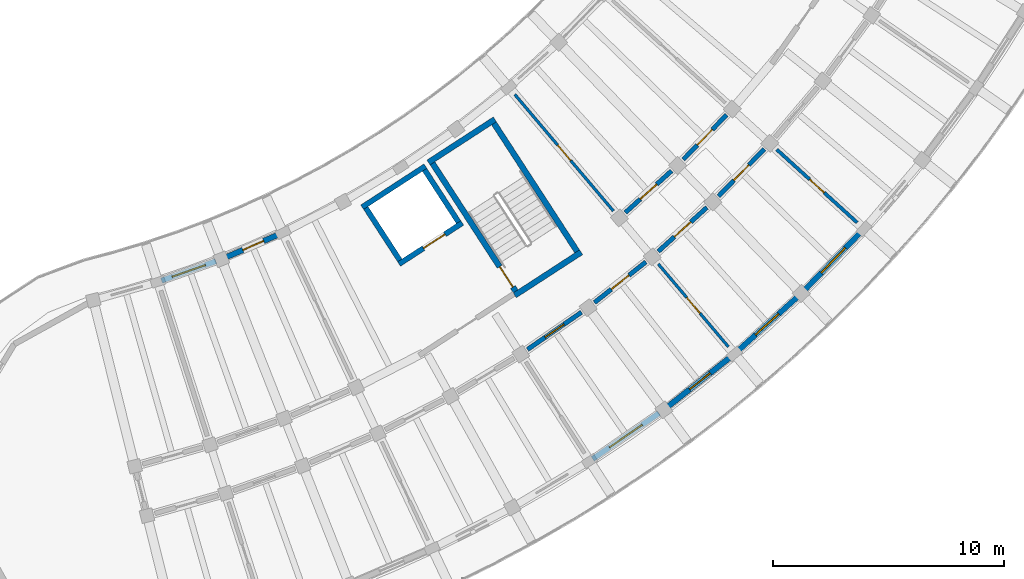
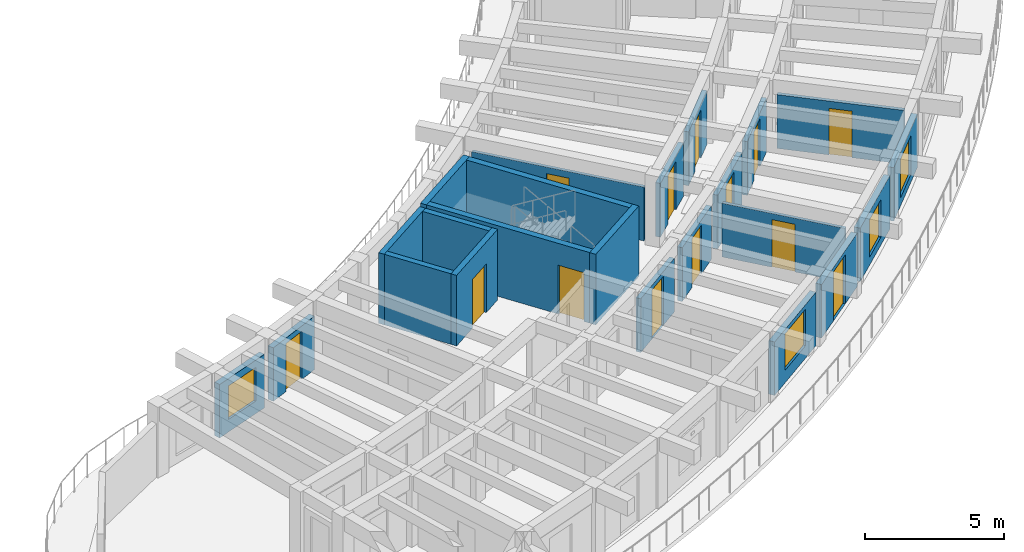
# One storey, part 40 of 69: 23 walls, 13 doors, 4 windows, 17 openings.
"""IFC4 building model written with IfcOpenShell, lengths in metres."""

import ifcopenshell
import ifcopenshell.guid

model = None  # the IFC model being written
_history = None  # IfcOwnerHistory: only IFC2X3 demands one
_inside = {}  # id of a spatial element -> (the spatial element, [elements in it])
_under = {}  # id of a project, library or spatial element -> (it, [spatial elements below it])
_declared = {}  # id of a project -> (the project, [libraries it declares])
_typed = {}  # id of a type object -> (the type object, [elements of that type])
_made_of = {}  # id of a material, layer set ... -> (it, [elements and type objects made of it])


def new_model(schema):
    """Start an empty IFC model of exactly this schema.

    Asked for "IFC4X3", IfcOpenShell would pick the latest addendum, in which some entities
    have other attributes; the version numbers below select the first issue.
    IFC2X3 requires an IfcOwnerHistory on every rooted entity: one is made here for all.
    """
    global model, _history
    if schema == "IFC4X3":
        model = ifcopenshell.file(schema_version=(4, 3, 0, 0))
    else:
        model = ifcopenshell.file(schema=schema)
    _inside.clear()
    _under.clear()
    _declared.clear()
    _typed.clear()
    _made_of.clear()
    _history = None
    if model.schema == "IFC2X3":
        org = make("IfcOrganization", Name="unknown")
        user = make(
            "IfcPersonAndOrganization",
            ThePerson=make("IfcPerson", FamilyName="unknown"),
            TheOrganization=org,
        )
        app = make(
            "IfcApplication",
            ApplicationDeveloper=org,
            Version="unknown",
            ApplicationFullName="unknown",
            ApplicationIdentifier="unknown",
        )
        _history = make(
            "IfcOwnerHistory",
            OwningUser=user,
            OwningApplication=app,
            ChangeAction="ADDED",
            CreationDate=0,
        )
    return model


def make(cls, **values):
    """One entity of the class cls with the attributes given. An attribute that is None is left unset."""
    return model.create_entity(
        cls, **{name: value for name, value in values.items() if value is not None}
    )


def rooted(cls, **values):
    """An entity with a GlobalId (a new one), such as an element, a storey or a relation."""
    return make(cls, GlobalId=ifcopenshell.guid.new(), OwnerHistory=_history, **values)


def si_unit(unit_type, name, prefix=None):
    """IfcSIUnit, for example si_unit("LENGTHUNIT", "METRE", prefix="MILLI")."""
    return make("IfcSIUnit", UnitType=unit_type, Prefix=prefix, Name=name)


def assignment(units):
    """IfcUnitAssignment: the units of a project."""
    return None if units is None else make("IfcUnitAssignment", Units=units)


def point(xyz):
    """IfcCartesianPoint."""
    return None if xyz is None else make("IfcCartesianPoint", Coordinates=xyz)


def direction(xyz):
    """IfcDirection."""
    return None if xyz is None else make("IfcDirection", DirectionRatios=xyz)


def frame(location, z_axis=None, x_axis=None):
    """IfcAxis2Placement3D, a coordinate frame: its origin and axes. An axis left out is left unset."""
    return make(
        "IfcAxis2Placement3D",
        Location=point(location),
        Axis=direction(z_axis),
        RefDirection=direction(x_axis),
    )


def frame_2d(location, x_axis=None):
    """IfcAxis2Placement2D, a coordinate frame in the plane: its origin and x axis."""
    return make(
        "IfcAxis2Placement2D", Location=point(location), RefDirection=direction(x_axis)
    )


def origin():
    """The frame at (0, 0, 0) with its axes left unset."""
    return frame((0.0, 0.0, 0.0))


def place(relative_to, where):
    """IfcLocalPlacement: puts the frame where relative to a parent placement (None: the world)."""
    return make(
        "IfcLocalPlacement", PlacementRelTo=relative_to, RelativePlacement=where
    )


def context(
    kind, dimensions, precision=None, world=None, true_north=None, identifier=None
):
    """IfcGeometricRepresentationContext, for example the 3D "Model" context."""
    return make(
        "IfcGeometricRepresentationContext",
        ContextIdentifier=identifier,
        ContextType=kind,
        CoordinateSpaceDimension=dimensions,
        Precision=precision,
        WorldCoordinateSystem=world,
        TrueNorth=true_north,
    )


def subcontext(parent, identifier, kind, view, scale=None):
    """IfcGeometricRepresentationSubContext, for example "Body" below "Model"."""
    return make(
        "IfcGeometricRepresentationSubContext",
        ContextIdentifier=identifier,
        ContextType=kind,
        ParentContext=parent,
        TargetScale=scale,
        TargetView=view,
    )


def project(units=None, contexts=None):
    """IfcProject with its units and contexts."""
    return rooted(
        "IfcProject",
        Name="project",
        RepresentationContexts=contexts,
        UnitsInContext=assignment(units),
    )


def spatial(cls, under=None, at=None, **own):
    """A site, building, storey or space (cls), placed at a placement, below another one or the project."""
    s = rooted(cls, ObjectPlacement=at, **own)
    if under is not None:
        _under.setdefault(under.id(), (under, []))[1].append(s)
    return s


def profile(cls, at=None, kind="AREA", **sizes):
    """A parametric profile (cls). Its sizes go by their IFC names, for example OverallWidth=200.0."""
    return make(cls, ProfileType=kind, Position=at, **sizes)


def rectangle(**sizes):
    """IfcRectangleProfileDef."""
    return profile("IfcRectangleProfileDef", **sizes)


def extrude(swept, where, along, depth):
    """IfcExtrudedAreaSolid: the profile swept, set in the frame where, extruded along a direction by depth."""
    return make(
        "IfcExtrudedAreaSolid",
        SweptArea=swept,
        Position=where,
        ExtrudedDirection=direction(along),
        Depth=depth,
    )


def shape(context_of_items, identifier, shape_type, items):
    """IfcShapeRepresentation: the items that make up one representation, for example the "Body"."""
    return make(
        "IfcShapeRepresentation",
        ContextOfItems=context_of_items,
        RepresentationIdentifier=identifier,
        RepresentationType=shape_type,
        Items=items,
    )


def material(Name=None, Category=None):
    """IfcMaterial."""
    return make("IfcMaterial", Name=Name, Category=Category)


def layer(
    of_material, thickness, ventilated=None, Name=None, Category=None, Priority=None
):
    """IfcMaterialLayer: one layer of a wall or slab, of a material (None: an air gap)."""
    return make(
        "IfcMaterialLayer",
        Material=of_material,
        LayerThickness=thickness,
        IsVentilated=ventilated,
        Name=Name,
        Category=Category,
        Priority=Priority,
    )


def layer_set(layers, Name=None):
    """IfcMaterialLayerSet."""
    return make("IfcMaterialLayerSet", MaterialLayers=layers, LayerSetName=Name)


def made_of(thing, what):
    """Note that an element or type object is made of a material, layer set ...; save() writes the relation."""
    if what is not None:
        _made_of.setdefault(what.id(), (what, []))[1].append(thing)
    return thing


def type_object(cls, material=None, **own):
    """A type object (cls), such as IfcWallType, which elements share."""
    return made_of(rooted(cls, **own), material)


def element(
    cls,
    number,
    at=None,
    inside=None,
    cuts=None,
    type_object=None,
    material=None,
    context=None,
    identifier="Body",
    shape_type=None,
    held_by="IfcProductDefinitionShape",
    body=None,
    shapes=None,
    **own,
):
    """One element of the class cls, such as IfcWall. Its Tag is "e" and its number.

    at: its placement. inside: the storey or other place that contains it. cuts: it is an
    opening in that element (IfcRelVoidsElement). A single representation is given by context,
    identifier, shape_type and body (its items); several are given by shapes. held_by: the class
    of the entity that holds the representations. save() writes the other relations.
    """
    e = rooted(cls, Tag="e%d" % number, ObjectPlacement=at, **own)
    if body is not None:
        shapes = [shape(context, identifier, shape_type, body)]
    if shapes is not None:
        e.Representation = make(held_by, Representations=shapes)
    if inside is not None:
        _inside.setdefault(inside.id(), (inside, []))[1].append(e)
    if cuts is not None:
        rooted(
            "IfcRelVoidsElement", RelatingBuildingElement=cuts, RelatedOpeningElement=e
        )
    if type_object is not None:
        _typed.setdefault(type_object.id(), (type_object, []))[1].append(e)
    return made_of(e, material)


def fill(opening, filler):
    """IfcRelFillsElement: the door or window that sits in an opening."""
    return rooted(
        "IfcRelFillsElement",
        RelatingOpeningElement=opening,
        RelatedBuildingElement=filler,
    )


def aggregate(whole, parts):
    """IfcRelAggregates: a whole, such as a stair, and the parts it consists of."""
    return rooted("IfcRelAggregates", RelatingObject=whole, RelatedObjects=parts)


def save(model, path):
    """Write the relations noted so far, then the file.

    IfcRelAggregates (storeys below a building ...), IfcRelContainedInSpatialStructure (elements
    in a storey), IfcRelDefinesByType, IfcRelAssociatesMaterial and IfcRelDeclares: one each for
    every whole, place, type object, material and project.
    """
    for whole, parts in _under.values():
        aggregate(whole, parts)
    for where, things in _inside.values():
        rooted(
            "IfcRelContainedInSpatialStructure",
            RelatedElements=things,
            RelatingStructure=where,
        )
    for kind, things in _typed.values():
        rooted("IfcRelDefinesByType", RelatedObjects=things, RelatingType=kind)
    for what, things in _made_of.values():
        rooted("IfcRelAssociatesMaterial", RelatedObjects=things, RelatingMaterial=what)
    for by, libraries in _declared.values():
        rooted("IfcRelDeclares", RelatingContext=by, RelatedDefinitions=libraries)
    model.write(path)


model = new_model("IFC4")

# Units and contexts
model_context = context("Model", 3, precision=1e-05, world=origin(), true_north=direction((0.0, 1.0)))
body_context = subcontext(model_context, "Body", "Model", "MODEL_VIEW")
ifc_project = project(units=[si_unit("LENGTHUNIT", "METRE"), si_unit("AREAUNIT", "SQUARE_METRE"), si_unit("VOLUMEUNIT", "CUBIC_METRE"), si_unit("PLANEANGLEUNIT", "RADIAN"), si_unit("MASSUNIT", "GRAM", prefix="KILO")], contexts=[model_context])

# Site, building, storey
site_placement = place(None, origin())
site = spatial("IfcSite", under=ifc_project, at=site_placement, CompositionType="ELEMENT")
building_placement = place(site_placement, origin())
building = spatial("IfcBuilding", under=site, at=building_placement, Name="Tanwirah Colonnade Gardens", CompositionType="ELEMENT")
storey_placement = place(building_placement, frame((0.0, 0.0, 15.56005859375)))
storey = spatial("IfcBuildingStorey", under=building, at=storey_placement, Name="L04", CompositionType="ELEMENT", Elevation=15.56005859375)

# Wall, opening, window
ifc_material_1 = material(Name="Limestone architectural precast concrete C40/50", Category="masonry")
ifc_layer_1 = layer(ifc_material_1, 0.239990234375)
ifc_layer_set_1 = layer_set([ifc_layer_1], Name="Limestone architectural precast concrete C40/50")
wall_type_1 = type_object("IfcWallType", Name="EW-PC240", PredefinedType="SOLIDWALL", material=ifc_layer_set_1)
wall_1_placement = place(storey_placement, frame((134.701904296875, 22.2197265625, 0.0), z_axis=(0.0, 0.0, 1.0), x_axis=(0.941892135469, 0.33591547321, 0.0)))
wall_1 = element("IfcWall", 1, at=wall_1_placement, inside=storey, type_object=wall_type_1, Name="Block D L04 IN Precast Facade Wall 1", PredefinedType="SOLIDWALL", context=body_context, shape_type="SweptSolid", body=[
    extrude(rectangle(XDim=2.498779296875, YDim=0.239990234375, at=frame_2d((1.24951171875, 0.0))), origin(), (0.0, 0.0, 1.0), 2.35498046875),
])
opening_1_placement = place(wall_1_placement, frame((0.489501953125, 0.0, 0.550048828125)))
opening_1 = element("IfcOpeningElement", 2, at=opening_1_placement, cuts=wall_1, Name="Opening WIN-U10", PredefinedType="OPENING", context=body_context, shape_type="SweptSolid", body=[
    extrude(rectangle(XDim=1.52001953125, YDim=1.485107421875, at=frame_2d((0.760009765625, 0.74267578125))), frame((0.0, 0.1298828125, 0.0), z_axis=(0.0, -1.0, 0.0), x_axis=(1.0, 0.0, 0.0)), (0.0, 0.0, 1.0), 0.260009765625),
])
ifc_material_2 = material(Name="Thermally broken bronze aluminium and solar low-E double glazing", Category="aluminium")
window_type_1 = type_object("IfcWindowType", Name="WIN-U10", PartitioningType="DOUBLE_PANEL_VERTICAL", PredefinedType="WINDOW", material=ifc_material_2)
window_1_placement = place(opening_1_placement, origin())
window_1 = element("IfcWindow", 3, at=window_1_placement, inside=storey, type_object=window_type_1, Name="Facade window D-L04-IN-01", OverallHeight=1.485107421875, OverallWidth=1.52001953125, PartitioningType="SINGLE_PANEL", PredefinedType="WINDOW", context=body_context, shape_type="SweptSolid", body=[
    extrude(rectangle(XDim=1.52001953125, YDim=1.485107421875, at=frame_2d((0.760009765625, 0.74267578125))), frame((0.0, 0.030029296875, 0.0), z_axis=(0.0, -1.0, 0.0), x_axis=(1.0, 0.0, 0.0)), (0.0, 0.0, 1.0), 0.06005859375),
])
fill(opening_1, window_1)

# Wall, opening, door
wall_2_placement = place(storey_placement, frame((137.5205078125, 23.2421875, 0.0), z_axis=(0.0, 0.0, 1.0), x_axis=(0.91795321239, 0.396688668686, 0.0)))
wall_2 = element("IfcWall", 4, at=wall_2_placement, inside=storey, type_object=wall_type_1, Name="Block D L04 IN Precast Facade Wall 2", PredefinedType="SOLIDWALL", context=body_context, shape_type="SweptSolid", body=[
    extrude(rectangle(XDim=2.498779296875, YDim=0.239990234375, at=frame_2d((1.24951171875, 0.0))), origin(), (0.0, 0.0, 1.0), 2.35498046875),
])
opening_2_placement = place(wall_2_placement, frame((0.759521484375, 0.0, 0.0)))
opening_2 = element("IfcOpeningElement", 5, at=opening_2_placement, cuts=wall_2, Name="Opening L04-ED193", PredefinedType="OPENING", context=body_context, shape_type="SweptSolid", body=[
    extrude(rectangle(XDim=0.97998046875, YDim=2.1201171875, at=frame_2d((0.489990234375, 1.06005859375))), frame((0.0, 0.1298828125, 0.0), z_axis=(0.0, -1.0, 0.0), x_axis=(1.0, 0.0, 0.0)), (0.0, 0.0, 1.0), 0.260009765625),
])
ifc_material_3 = material(Name="Bronze aluminium glazed balcony door", Category="aluminium")
door_type_1 = type_object("IfcDoorType", Name="ED-BAL098", OperationType="NOTDEFINED", PredefinedType="DOOR", material=ifc_material_3)
door_1_placement = place(opening_2_placement, origin())
door_1 = element("IfcDoor", 6, at=door_1_placement, inside=storey, type_object=door_type_1, Name="Balcony glazed door L04-ED193", OperationType="SINGLE_SWING_LEFT", OverallHeight=2.1201171875, OverallWidth=0.97998046875, PredefinedType="DOOR", context=body_context, shape_type="SweptSolid", body=[
    extrude(rectangle(XDim=0.97998046875, YDim=2.1201171875, at=frame_2d((0.489990234375, 1.06005859375))), frame((0.0, 0.02490234375, 0.0), z_axis=(0.0, -1.0, 0.0), x_axis=(1.0, 0.0, 0.0)), (0.0, 0.0, 1.0), 0.050048828125),
])
fill(opening_2, door_1)

# Wall, opening, window
wall_3_placement = place(storey_placement, frame((153.3466796875, 14.507080078125, 0.0), z_axis=(0.0, 0.0, 1.0), x_axis=(0.822902356734, 0.568182815017, 0.0)))
wall_3 = element("IfcWall", 7, at=wall_3_placement, inside=storey, type_object=wall_type_1, Name="Block D L04 OUT Precast Facade Wall 5", PredefinedType="SOLIDWALL", context=body_context, shape_type="SweptSolid", body=[
    extrude(rectangle(XDim=3.48681640625, YDim=0.239990234375, at=frame_2d((1.743408203125, 0.0))), origin(), (0.0, 0.0, 1.0), 2.35498046875),
])
opening_3_placement = place(wall_3_placement, frame((0.88330078125, 0.0, 0.550048828125)))
opening_3 = element("IfcOpeningElement", 8, at=opening_3_placement, cuts=wall_3, Name="Opening WIN-U15", PredefinedType="OPENING", context=body_context, shape_type="SweptSolid", body=[
    extrude(rectangle(XDim=1.719970703125, YDim=1.610107421875, at=frame_2d((0.85986328125, 0.80517578125))), frame((0.0, 0.1298828125, 0.0), z_axis=(0.0, -1.0, 0.0), x_axis=(1.0, 0.0, 0.0)), (0.0, 0.0, 1.0), 0.260009765625),
])
window_type_2 = type_object("IfcWindowType", Name="WIN-U15", PartitioningType="DOUBLE_PANEL_VERTICAL", PredefinedType="WINDOW", material=ifc_material_2)
window_2_placement = place(opening_3_placement, origin())
window_2 = element("IfcWindow", 9, at=window_2_placement, inside=storey, type_object=window_type_2, Name="Facade window D-L04-OUT-05", OverallHeight=1.610107421875, OverallWidth=1.719970703125, PartitioningType="SINGLE_PANEL", PredefinedType="WINDOW", context=body_context, shape_type="SweptSolid", body=[
    extrude(rectangle(XDim=1.719970703125, YDim=1.610107421875, at=frame_2d((0.85986328125, 0.80517578125))), frame((0.0, 0.030029296875, 0.0), z_axis=(0.0, -1.0, 0.0), x_axis=(1.0, 0.0, 0.0)), (0.0, 0.0, 1.0), 0.06005859375),
])
fill(opening_3, window_2)

# Wall, opening, door
wall_4_placement = place(storey_placement, frame((156.61767578125, 16.78564453125, 0.0), z_axis=(0.0, 0.0, 1.0), x_axis=(0.78398760997, 0.620776471376, 0.0)))
wall_4 = element("IfcWall", 10, at=wall_4_placement, inside=storey, type_object=wall_type_1, Name="Block D L04 OUT Precast Facade Wall 6", PredefinedType="SOLIDWALL", context=body_context, shape_type="SweptSolid", body=[
    extrude(rectangle(XDim=3.48681640625, YDim=0.239990234375, at=frame_2d((1.743408203125, 0.0))), origin(), (0.0, 0.0, 1.0), 2.35498046875),
])
opening_4_placement = place(wall_4_placement, frame((1.17333984375, 0.0, 0.0)))
opening_4 = element("IfcOpeningElement", 11, at=opening_4_placement, cuts=wall_4, Name="Opening L04-ED194", PredefinedType="OPENING", context=body_context, shape_type="SweptSolid", body=[
    extrude(rectangle(XDim=1.139892578125, YDim=2.159912109375, at=frame_2d((0.56982421875, 1.080078125))), frame((0.0, 0.1298828125, 0.0), z_axis=(0.0, -1.0, 0.0), x_axis=(1.0, 0.0, 0.0)), (0.0, 0.0, 1.0), 0.260009765625),
])
door_type_2 = type_object("IfcDoorType", Name="ED-BAL114", OperationType="NOTDEFINED", PredefinedType="DOOR", material=ifc_material_3)
door_2_placement = place(opening_4_placement, origin())
door_2 = element("IfcDoor", 12, at=door_2_placement, inside=storey, type_object=door_type_2, Name="Balcony glazed door L04-ED194", OperationType="SINGLE_SWING_LEFT", OverallHeight=2.159912109375, OverallWidth=1.139892578125, PredefinedType="DOOR", context=body_context, shape_type="SweptSolid", body=[
    extrude(rectangle(XDim=1.139892578125, YDim=2.159912109375, at=frame_2d((0.56982421875, 1.080078125))), frame((0.0, 0.02490234375, 0.0), z_axis=(0.0, -1.0, 0.0), x_axis=(1.0, 0.0, 0.0)), (0.0, 0.0, 1.0), 0.050048828125),
])
fill(opening_4, door_2)

# Wall, opening, window
wall_5_placement = place(storey_placement, frame((159.595458984375, 19.15673828125, 0.0), z_axis=(0.0, 0.0, 1.0), x_axis=(0.741648568445, 0.670788641022, 0.0)))
wall_5 = element("IfcWall", 13, at=wall_5_placement, inside=storey, type_object=wall_type_1, Name="Block D L04 OUT Precast Facade Wall 7", PredefinedType="SOLIDWALL", context=body_context, shape_type="SweptSolid", body=[
    extrude(rectangle(XDim=3.48681640625, YDim=0.239990234375, at=frame_2d((1.743408203125, 0.0))), origin(), (0.0, 0.0, 1.0), 2.35498046875),
])
opening_5_placement = place(wall_5_placement, frame((1.068359375, 0.0, 0.35009765625)))
opening_5 = element("IfcOpeningElement", 14, at=opening_5_placement, cuts=wall_5, Name="Opening WIN-T05", PredefinedType="OPENING", context=body_context, shape_type="SweptSolid", body=[
    extrude(rectangle(XDim=1.35009765625, YDim=1.64990234375, at=frame_2d((0.675048828125, 0.824951171875))), frame((0.0, 0.1298828125, 0.0), z_axis=(0.0, -1.0, 0.0), x_axis=(1.0, 0.0, 0.0)), (0.0, 0.0, 1.0), 0.260009765625),
])
window_type_3 = type_object("IfcWindowType", Name="WIN-T05", PartitioningType="DOUBLE_PANEL_VERTICAL", PredefinedType="WINDOW", material=ifc_material_2)
window_3_placement = place(opening_5_placement, origin())
window_3 = element("IfcWindow", 15, at=window_3_placement, inside=storey, type_object=window_type_3, Name="Facade window D-L04-OUT-07", OverallHeight=1.64990234375, OverallWidth=1.35009765625, PartitioningType="SINGLE_PANEL", PredefinedType="WINDOW", context=body_context, shape_type="SweptSolid", body=[
    extrude(rectangle(XDim=1.35009765625, YDim=1.64990234375, at=frame_2d((0.675048828125, 0.824951171875))), frame((0.0, 0.030029296875, 0.0), z_axis=(0.0, -1.0, 0.0), x_axis=(1.0, 0.0, 0.0)), (0.0, 0.0, 1.0), 0.06005859375),
])
fill(opening_5, window_3)

wall_6_placement = place(storey_placement, frame((162.541015625, 21.8427734375, 0.0), z_axis=(0.0, 0.0, 1.0), x_axis=(0.696205978342, 0.717842068788, 0.0)))
wall_6 = element("IfcWall", 16, at=wall_6_placement, inside=storey, type_object=wall_type_1, Name="Block D L04 OUT Precast Facade Wall 8", PredefinedType="SOLIDWALL", context=body_context, shape_type="SweptSolid", body=[
    extrude(rectangle(XDim=3.48681640625, YDim=0.239990234375, at=frame_2d((1.743408203125, 0.0))), origin(), (0.0, 0.0, 1.0), 2.35498046875),
])
opening_6_placement = place(wall_6_placement, frame((0.993408203125, 0.0, 0.35009765625)))
opening_6 = element("IfcOpeningElement", 17, at=opening_6_placement, cuts=wall_6, Name="Opening WIN-T08", PredefinedType="OPENING", context=body_context, shape_type="SweptSolid", body=[
    extrude(rectangle(XDim=1.5, YDim=1.699951171875, at=frame_2d((0.75, 0.85009765625))), frame((0.0, 0.1298828125, 0.0), z_axis=(0.0, -1.0, 0.0), x_axis=(1.0, 0.0, 0.0)), (0.0, 0.0, 1.0), 0.260009765625),
])
window_type_4 = type_object("IfcWindowType", Name="WIN-T08", PartitioningType="DOUBLE_PANEL_VERTICAL", PredefinedType="WINDOW", material=ifc_material_2)
window_4_placement = place(opening_6_placement, origin())
window_4 = element("IfcWindow", 18, at=window_4_placement, inside=storey, type_object=window_type_4, Name="Facade window D-L04-OUT-08", OverallHeight=1.699951171875, OverallWidth=1.5, PartitioningType="SINGLE_PANEL", PredefinedType="WINDOW", context=body_context, shape_type="SweptSolid", body=[
    extrude(rectangle(XDim=1.5, YDim=1.699951171875, at=frame_2d((0.75, 0.85009765625))), frame((0.0, 0.030029296875, 0.0), z_axis=(0.0, -1.0, 0.0), x_axis=(1.0, 0.0, 0.0)), (0.0, 0.0, 1.0), 0.06005859375),
])
fill(opening_6, window_4)

# Wall, opening, door
ifc_material_4 = material(Name="Precast concrete C40/50", Category="concrete")
ifc_layer_2 = layer(ifc_material_4, 0.195068359375)
ifc_layer_set_2 = layer_set([ifc_layer_2], Name="Precast concrete C40/50")
wall_type_2 = type_object("IfcWallType", Name="IW-CORR195", PredefinedType="PARTITIONING", material=ifc_layer_set_2)
wall_7_placement = place(storey_placement, frame((150.527587890625, 19.24072265625, 0.0), z_axis=(0.0, 0.0, 1.0), x_axis=(0.822870075235, 0.568229565653, 0.0)))
wall_7 = element("IfcWall", 19, at=wall_7_placement, inside=storey, type_object=wall_type_2, Name="Block D L04 OUT Corridor Wall 5", PredefinedType="PARTITIONING", context=body_context, shape_type="SweptSolid", body=[
    extrude(rectangle(XDim=2.8369140625, YDim=0.195068359375, at=frame_2d((1.41845703125, 0.0))), origin(), (0.0, 0.0, 1.0), 2.369873046875),
])
opening_7_placement = place(wall_7_placement, frame((0.923583984375, 0.0, 0.0)))
opening_7 = element("IfcOpeningElement", 20, at=opening_7_placement, cuts=wall_7, Name="Opening L04-AD1812", PredefinedType="OPENING", context=body_context, shape_type="SweptSolid", body=[
    extrude(rectangle(XDim=0.989990234375, YDim=2.159912109375, at=frame_2d((0.4951171875, 1.080078125))), frame((0.0, 0.107421875, 0.0), z_axis=(0.0, -1.0, 0.0), x_axis=(1.0, 0.0, 0.0)), (0.0, 0.0, 1.0), 0.215087890625),
])
ifc_material_5 = material(Name="Solid oak fire-resisting apartment entrance door")
door_type_3 = type_object("IfcDoorType", Name="ID-FLT099", OperationType="NOTDEFINED", PredefinedType="DOOR", material=ifc_material_5)
door_3_placement = place(opening_7_placement, origin())
door_3 = element("IfcDoor", 21, at=door_3_placement, inside=storey, type_object=door_type_3, Name="Apartment corridor door L04-AD1812", OperationType="SINGLE_SWING_RIGHT", OverallHeight=2.159912109375, OverallWidth=0.989990234375, PredefinedType="DOOR", context=body_context, shape_type="SweptSolid", body=[
    extrude(rectangle(XDim=0.989990234375, YDim=2.159912109375, at=frame_2d((0.4951171875, 1.080078125))), frame((0.0, 0.02490234375, 0.0), z_axis=(0.0, -1.0, 0.0), x_axis=(1.0, 0.0, 0.0)), (0.0, 0.0, 1.0), 0.050048828125),
])
fill(opening_7, door_3)

wall_8_placement = place(storey_placement, frame((153.424560546875, 21.268798828125, 0.0), z_axis=(0.0, 0.0, 1.0), x_axis=(0.783965548427, 0.620804332201, 0.0)))
wall_8 = element("IfcWall", 22, at=wall_8_placement, inside=storey, type_object=wall_type_2, Name="Block D L04 OUT Corridor Wall 6", PredefinedType="PARTITIONING", context=body_context, shape_type="SweptSolid", body=[
    extrude(rectangle(XDim=2.8369140625, YDim=0.195068359375, at=frame_2d((1.41845703125, 0.0))), origin(), (0.0, 0.0, 1.0), 2.369873046875),
])
opening_8_placement = place(wall_8_placement, frame((0.93359375, 0.0, 0.0)))
opening_8 = element("IfcOpeningElement", 23, at=opening_8_placement, cuts=wall_8, Name="Opening L04-AD1813", PredefinedType="OPENING", context=body_context, shape_type="SweptSolid", body=[
    extrude(rectangle(XDim=0.969970703125, YDim=2.14990234375, at=frame_2d((0.48486328125, 1.074951171875))), frame((0.0, 0.107421875, 0.0), z_axis=(0.0, -1.0, 0.0), x_axis=(1.0, 0.0, 0.0)), (0.0, 0.0, 1.0), 0.215087890625),
])
door_type_4 = type_object("IfcDoorType", Name="ID-FLT097", OperationType="NOTDEFINED", PredefinedType="DOOR", material=ifc_material_5)
door_4_placement = place(opening_8_placement, origin())
door_4 = element("IfcDoor", 24, at=door_4_placement, inside=storey, type_object=door_type_4, Name="Apartment corridor door L04-AD1813", OperationType="SINGLE_SWING_LEFT", OverallHeight=2.14990234375, OverallWidth=0.969970703125, PredefinedType="DOOR", context=body_context, shape_type="SweptSolid", body=[
    extrude(rectangle(XDim=0.969970703125, YDim=2.14990234375, at=frame_2d((0.48486328125, 1.074951171875))), frame((0.0, 0.02490234375, 0.0), z_axis=(0.0, -1.0, 0.0), x_axis=(1.0, 0.0, 0.0)), (0.0, 0.0, 1.0), 0.050048828125),
])
fill(opening_8, door_4)

wall_9_placement = place(storey_placement, frame((156.1826171875, 23.48193359375, 0.0), z_axis=(0.0, 0.0, 1.0), x_axis=(0.741631592147, 0.670807410163, 0.0)))
wall_9 = element("IfcWall", 25, at=wall_9_placement, inside=storey, type_object=wall_type_2, Name="Block D L04 OUT Corridor Wall 7", PredefinedType="PARTITIONING", context=body_context, shape_type="SweptSolid", body=[
    extrude(rectangle(XDim=2.8369140625, YDim=0.195068359375, at=frame_2d((1.41845703125, 0.0))), origin(), (0.0, 0.0, 1.0), 2.369873046875),
])
opening_9_placement = place(wall_9_placement, frame((0.943603515625, 0.0, 0.0)))
opening_9 = element("IfcOpeningElement", 26, at=opening_9_placement, cuts=wall_9, Name="Opening L04-AD1816", PredefinedType="OPENING", context=body_context, shape_type="SweptSolid", body=[
    extrude(rectangle(XDim=0.949951171875, YDim=2.1298828125, at=frame_2d((0.47509765625, 1.06494140625))), frame((0.0, 0.107421875, 0.0), z_axis=(0.0, -1.0, 0.0), x_axis=(1.0, 0.0, 0.0)), (0.0, 0.0, 1.0), 0.215087890625),
])
door_type_5 = type_object("IfcDoorType", Name="ID-FLT095", OperationType="NOTDEFINED", PredefinedType="DOOR", material=ifc_material_5)
door_5_placement = place(opening_9_placement, origin())
door_5 = element("IfcDoor", 27, at=door_5_placement, inside=storey, type_object=door_type_5, Name="Apartment corridor door L04-AD1816", OperationType="SINGLE_SWING_RIGHT", OverallHeight=2.1298828125, OverallWidth=0.949951171875, PredefinedType="DOOR", context=body_context, shape_type="SweptSolid", body=[
    extrude(rectangle(XDim=0.949951171875, YDim=2.1298828125, at=frame_2d((0.47509765625, 1.06494140625))), frame((0.0, 0.02490234375, 0.0), z_axis=(0.0, -1.0, 0.0), x_axis=(1.0, 0.0, 0.0)), (0.0, 0.0, 1.0), 0.050048828125),
])
fill(opening_9, door_5)

wall_10_placement = place(storey_placement, frame((154.76123046875, 25.1611328125, 0.0), z_axis=(0.0, 0.0, 1.0), x_axis=(0.74166462946, 0.670770882945, 0.0)))
wall_10 = element("IfcWall", 28, at=wall_10_placement, inside=storey, type_object=wall_type_2, Name="Block D L04 IN Corridor Wall 7", PredefinedType="PARTITIONING", context=body_context, shape_type="SweptSolid", body=[
    extrude(rectangle(XDim=2.693115234375, YDim=0.195068359375, at=frame_2d((1.3466796875, 0.0))), origin(), (0.0, 0.0, 1.0), 2.369873046875),
])
opening_10_placement = place(wall_10_placement, frame((0.87158203125, 0.0, 0.0)))
opening_10 = element("IfcOpeningElement", 29, at=opening_10_placement, cuts=wall_10, Name="Opening L04-AD1817", PredefinedType="OPENING", context=body_context, shape_type="SweptSolid", body=[
    extrude(rectangle(XDim=0.949951171875, YDim=2.1298828125, at=frame_2d((0.47509765625, 1.06494140625))), frame((0.0, 0.107421875, 0.0), z_axis=(0.0, -1.0, 0.0), x_axis=(1.0, 0.0, 0.0)), (0.0, 0.0, 1.0), 0.215087890625),
])
door_6_placement = place(opening_10_placement, origin())
door_6 = element("IfcDoor", 30, at=door_6_placement, inside=storey, type_object=door_type_5, Name="Apartment corridor door L04-AD1817", OperationType="SINGLE_SWING_LEFT", OverallHeight=2.1298828125, OverallWidth=0.949951171875, PredefinedType="DOOR", context=body_context, shape_type="SweptSolid", body=[
    extrude(rectangle(XDim=0.949951171875, YDim=2.1298828125, at=frame_2d((0.47509765625, 1.06494140625))), frame((0.0, 0.02490234375, 0.0), z_axis=(0.0, -1.0, 0.0), x_axis=(1.0, 0.0, 0.0)), (0.0, 0.0, 1.0), 0.050048828125),
])
fill(opening_10, door_6)

wall_11_placement = place(storey_placement, frame((158.7900390625, 25.870849609375, 0.0), z_axis=(0.0, 0.0, 1.0), x_axis=(0.696223786753, 0.717824796701, 0.0)))
wall_11 = element("IfcWall", 31, at=wall_11_placement, inside=storey, type_object=wall_type_2, Name="Block D L04 OUT Corridor Wall 8", PredefinedType="PARTITIONING", context=body_context, shape_type="SweptSolid", body=[
    extrude(rectangle(XDim=2.8369140625, YDim=0.195068359375, at=frame_2d((1.41845703125, 0.0))), origin(), (0.0, 0.0, 1.0), 2.369873046875),
])
opening_11_placement = place(wall_11_placement, frame((0.95361328125, 0.0, 0.0)))
opening_11 = element("IfcOpeningElement", 32, at=opening_11_placement, cuts=wall_11, Name="Opening L04-AD1818", PredefinedType="OPENING", context=body_context, shape_type="SweptSolid", body=[
    extrude(rectangle(XDim=0.929931640625, YDim=2.1201171875, at=frame_2d((0.46484375, 1.06005859375))), frame((0.0, 0.107421875, 0.0), z_axis=(0.0, -1.0, 0.0), x_axis=(1.0, 0.0, 0.0)), (0.0, 0.0, 1.0), 0.215087890625),
])
door_type_6 = type_object("IfcDoorType", Name="ID-FLT093", OperationType="NOTDEFINED", PredefinedType="DOOR", material=ifc_material_5)
door_7_placement = place(opening_11_placement, origin())
door_7 = element("IfcDoor", 33, at=door_7_placement, inside=storey, type_object=door_type_6, Name="Apartment corridor door L04-AD1818", OperationType="SINGLE_SWING_LEFT", OverallHeight=2.1201171875, OverallWidth=0.929931640625, PredefinedType="DOOR", context=body_context, shape_type="SweptSolid", body=[
    extrude(rectangle(XDim=0.929931640625, YDim=2.1201171875, at=frame_2d((0.46484375, 1.06005859375))), frame((0.0, 0.02490234375, 0.0), z_axis=(0.0, -1.0, 0.0), x_axis=(1.0, 0.0, 0.0)), (0.0, 0.0, 1.0), 0.050048828125),
])
fill(opening_11, door_7)

wall_12_placement = place(storey_placement, frame((157.26171875, 27.453369140625, 0.0), z_axis=(0.0, 0.0, 1.0), x_axis=(0.696236443412, 0.717812520694, 0.0)))
wall_12 = element("IfcWall", 34, at=wall_12_placement, inside=storey, type_object=wall_type_2, Name="Block D L04 IN Corridor Wall 8", PredefinedType="PARTITIONING", context=body_context, shape_type="SweptSolid", body=[
    extrude(rectangle(XDim=2.693115234375, YDim=0.195068359375, at=frame_2d((1.3466796875, 0.0))), origin(), (0.0, 0.0, 1.0), 2.369873046875),
])
opening_12_placement = place(wall_12_placement, frame((0.881591796875, 0.0, 0.0)))
opening_12 = element("IfcOpeningElement", 35, at=opening_12_placement, cuts=wall_12, Name="Opening L04-AD1819", PredefinedType="OPENING", context=body_context, shape_type="SweptSolid", body=[
    extrude(rectangle(XDim=0.929931640625, YDim=2.1201171875, at=frame_2d((0.46484375, 1.06005859375))), frame((0.0, 0.107421875, 0.0), z_axis=(0.0, -1.0, 0.0), x_axis=(1.0, 0.0, 0.0)), (0.0, 0.0, 1.0), 0.215087890625),
])
door_8_placement = place(opening_12_placement, origin())
door_8 = element("IfcDoor", 36, at=door_8_placement, inside=storey, type_object=door_type_6, Name="Apartment corridor door L04-AD1819", OperationType="SINGLE_SWING_RIGHT", OverallHeight=2.1201171875, OverallWidth=0.929931640625, PredefinedType="DOOR", context=body_context, shape_type="SweptSolid", body=[
    extrude(rectangle(XDim=0.929931640625, YDim=2.1201171875, at=frame_2d((0.46484375, 1.06005859375))), frame((0.0, 0.02490234375, 0.0), z_axis=(0.0, -1.0, 0.0), x_axis=(1.0, 0.0, 0.0)), (0.0, 0.0, 1.0), 0.050048828125),
])
fill(opening_12, door_8)

ifc_material_6 = material(Name="Moisture-resistant gypsum stud partition")
ifc_layer_3 = layer(ifc_material_6, 0.125)
ifc_layer_set_3 = layer_set([ifc_layer_3], Name="Moisture-resistant gypsum stud partition")
wall_type_3 = type_object("IfcWallType", Name="IW-INT125", PredefinedType="PARTITIONING", material=ifc_layer_set_3)
wall_13_placement = place(storey_placement, frame((156.181396484375, 22.94189453125, 0.0), z_axis=(0.0, 0.0, 1.0), x_axis=(0.646137818229, -0.76322075434, 0.0)))
wall_13 = element("IfcWall", 37, at=wall_13_placement, inside=storey, type_object=wall_type_3, Name="Block D L04 Radial Partition 6", PredefinedType="PARTITIONING", context=body_context, shape_type="SweptSolid", body=[
    extrude(rectangle(XDim=4.699951171875, YDim=0.125, at=frame_2d((2.35009765625, 0.0))), origin(), (0.0, 0.0, 1.0), 2.369873046875),
])
opening_13_placement = place(wall_13_placement, frame((1.905029296875, 0.0, 0.0)))
opening_13 = element("IfcOpeningElement", 38, at=opening_13_placement, cuts=wall_13, Name="Opening L04-RD1814", PredefinedType="OPENING", context=body_context, shape_type="SweptSolid", body=[
    extrude(rectangle(XDim=0.889892578125, YDim=2.10009765625, at=frame_2d((0.44482421875, 1.050048828125))), frame((0.0, 0.072509765625, 0.0), z_axis=(0.0, -1.0, 0.0), x_axis=(1.0, 0.0, 0.0)), (0.0, 0.0, 1.0), 0.14501953125),
])
ifc_material_7 = material(Name="Painted hardwood bedroom door", Category="wood")
door_type_7 = type_object("IfcDoorType", Name="ID-RM089", OperationType="NOTDEFINED", PredefinedType="DOOR", material=ifc_material_7)
door_9_placement = place(opening_13_placement, origin())
door_9 = element("IfcDoor", 39, at=door_9_placement, inside=storey, type_object=door_type_7, Name="Internal apartment door L04-RD1814", OperationType="SINGLE_SWING_LEFT", OverallHeight=2.10009765625, OverallWidth=0.889892578125, PredefinedType="DOOR", context=body_context, shape_type="SweptSolid", body=[
    extrude(rectangle(XDim=0.889892578125, YDim=2.10009765625, at=frame_2d((0.44482421875, 1.050048828125))), frame((0.0, 0.02490234375, 0.0), z_axis=(0.0, -1.0, 0.0), x_axis=(1.0, 0.0, 0.0)), (0.0, 0.0, 1.0), 0.050048828125),
])
fill(opening_13, door_9)

wall_14_placement = place(storey_placement, frame((149.978759765625, 30.26904296875, 0.0), z_axis=(0.0, 0.0, 1.0), x_axis=(0.646121311019, -0.763234728932, 0.0)))
wall_14 = element("IfcWall", 40, at=wall_14_placement, inside=storey, type_object=wall_type_3, Name="Block D L04 Inner Radial Partition 6", PredefinedType="PARTITIONING", context=body_context, shape_type="SweptSolid", body=[
    extrude(rectangle(XDim=6.60009765625, YDim=0.125, at=frame_2d((3.300048828125, 0.0))), origin(), (0.0, 0.0, 1.0), 2.369873046875),
])
opening_14_placement = place(wall_14_placement, frame((2.864990234375, 0.0, 0.0)))
opening_14 = element("IfcOpeningElement", 41, at=opening_14_placement, cuts=wall_14, Name="Opening L04-RD1815", PredefinedType="OPENING", context=body_context, shape_type="SweptSolid", body=[
    extrude(rectangle(XDim=0.8701171875, YDim=2.080078125, at=frame_2d((0.43505859375, 1.0400390625))), frame((0.0, 0.072509765625, 0.0), z_axis=(0.0, -1.0, 0.0), x_axis=(1.0, 0.0, 0.0)), (0.0, 0.0, 1.0), 0.14501953125),
])
ifc_material_8 = material(Name="Painted hardwood study door", Category="wood")
door_type_8 = type_object("IfcDoorType", Name="ID-RM087", OperationType="NOTDEFINED", PredefinedType="DOOR", material=ifc_material_8)
door_10_placement = place(opening_14_placement, origin())
door_10 = element("IfcDoor", 42, at=door_10_placement, inside=storey, type_object=door_type_8, Name="Internal apartment door L04-RD1815", OperationType="SINGLE_SWING_RIGHT", OverallHeight=2.080078125, OverallWidth=0.8701171875, PredefinedType="DOOR", context=body_context, shape_type="SweptSolid", body=[
    extrude(rectangle(XDim=0.8701171875, YDim=2.080078125, at=frame_2d((0.43505859375, 1.0400390625))), frame((0.0, 0.02490234375, 0.0), z_axis=(0.0, -1.0, 0.0), x_axis=(1.0, 0.0, 0.0)), (0.0, 0.0, 1.0), 0.050048828125),
])
fill(opening_14, door_10)

ifc_material_9 = material(Name="Water-resistant acoustic plumbing partition")
ifc_layer_4 = layer(ifc_material_9, 0.14990234375)
ifc_layer_set_4 = layer_set([ifc_layer_4], Name="Water-resistant acoustic plumbing partition")
wall_type_4 = type_object("IfcWallType", Name="IW-WET150", PredefinedType="PLUMBINGWALL", material=ifc_layer_set_4)
wall_15_placement = place(storey_placement, frame((161.304931640625, 27.8896484375, 0.0), z_axis=(0.0, 0.0, 1.0), x_axis=(0.740212663782, -0.672372822456, 0.0)))
wall_15 = element("IfcWall", 43, at=wall_15_placement, inside=storey, type_object=wall_type_4, Name="Block D L04 Radial Partition 8", PredefinedType="PLUMBINGWALL", context=body_context, shape_type="SweptSolid", body=[
    extrude(rectangle(XDim=4.699951171875, YDim=0.14990234375, at=frame_2d((2.35009765625, 0.0))), origin(), (0.0, 0.0, 1.0), 2.369873046875),
])
opening_15_placement = place(wall_15_placement, frame((1.925048828125, 0.0, 0.0)))
opening_15 = element("IfcOpeningElement", 44, at=opening_15_placement, cuts=wall_15, Name="Opening L04-RD1820", PredefinedType="OPENING", context=body_context, shape_type="SweptSolid", body=[
    extrude(rectangle(XDim=0.85009765625, YDim=2.050048828125, at=frame_2d((0.425048828125, 1.02490234375))), frame((0.0, 0.0849609375, 0.0), z_axis=(0.0, -1.0, 0.0), x_axis=(1.0, 0.0, 0.0)), (0.0, 0.0, 1.0), 0.169921875),
])
ifc_material_10 = material(Name="Moisture-resistant en-suite door")
door_type_9 = type_object("IfcDoorType", Name="ID-WET085", OperationType="NOTDEFINED", PredefinedType="DOOR", material=ifc_material_10)
door_11_placement = place(opening_15_placement, origin())
door_11 = element("IfcDoor", 45, at=door_11_placement, inside=storey, type_object=door_type_9, Name="Internal apartment door L04-RD1820", OperationType="SINGLE_SWING_LEFT", OverallHeight=2.050048828125, OverallWidth=0.85009765625, PredefinedType="DOOR", context=body_context, shape_type="SweptSolid", body=[
    extrude(rectangle(XDim=0.85009765625, YDim=2.050048828125, at=frame_2d((0.425048828125, 1.02490234375))), frame((0.0, 0.02490234375, 0.0), z_axis=(0.0, -1.0, 0.0), x_axis=(1.0, 0.0, 0.0)), (0.0, 0.0, 1.0), 0.050048828125),
])
fill(opening_15, door_11)

# Walls
ifc_material_11 = material(Name="Concrete C45/55", Category="concrete")
ifc_layer_5 = layer(ifc_material_11, 0.25)
ifc_layer_set_5 = layer_set([ifc_layer_5], Name="Concrete C45/55")
wall_type_5 = type_object("IfcWallType", Name="SW-CORE250", PredefinedType="SHEAR", material=ifc_layer_set_5)
wall_16_placement = place(storey_placement, frame((152.674072265625, 23.48388671875, 0.0), z_axis=(0.0, 0.0, 1.0), x_axis=(-0.544655453679, 0.838659905312, 0.0)))
element("IfcWall", 46, at=wall_16_placement, inside=storey, type_object=wall_type_5, Name="CORE-D1 L04 Stair Shaft Shear Wall LEFT", PredefinedType="SHEAR", context=body_context, shape_type="SweptSolid", body=[
    extrude(rectangle(XDim=6.60009765625, YDim=0.25, at=frame_2d((3.300048828125, 0.0))), origin(), (0.0, 0.0, 1.0), 3.10986328125),
])
wall_17_placement = place(storey_placement, frame((149.1162109375, 29.19189453125, 0.0), z_axis=(0.0, 0.0, 1.0), x_axis=(-0.838699580527, -0.544594356953, 0.0)))
element("IfcWall", 47, at=wall_17_placement, inside=storey, type_object=wall_type_5, Name="CORE-D1 L04 Stair Shaft Shear Wall FAR", PredefinedType="SHEAR", context=body_context, shape_type="SweptSolid", body=[
    extrude(rectangle(XDim=3.420166015625, YDim=0.25, at=frame_2d((1.7099609375, 0.0))), origin(), (0.0, 0.0, 1.0), 3.10986328125),
])
wall_18_placement = place(storey_placement, frame((152.846923828125, 23.447021484375, 0.0), z_axis=(0.0, 0.0, 1.0), x_axis=(-0.838645798734, -0.544677174357, 0.0)))
element("IfcWall", 48, at=wall_18_placement, inside=storey, type_object=wall_type_5, Name="CORE-D1 L04 Stair Shaft Shear Wall NEAR", PredefinedType="SHEAR", context=body_context, shape_type="SweptSolid", body=[
    extrude(rectangle(XDim=3.419921875, YDim=0.25, at=frame_2d((1.7099609375, 0.0))), origin(), (0.0, 0.0, 1.0), 3.10986328125),
])

# Wall, opening, door
wall_19_placement = place(storey_placement, frame((150.015380859375, 21.75732421875, 0.0), z_axis=(0.0, 0.0, 1.0), x_axis=(-0.544629435258, 0.838676802022, 0.0)))
wall_19 = element("IfcWall", 49, at=wall_19_placement, inside=storey, type_object=wall_type_5, Name="CORE-D1 L04 Stair Shaft Shear Wall RIGHT", PredefinedType="SHEAR", context=body_context, shape_type="SweptSolid", body=[
    extrude(rectangle(XDim=6.599853515625, YDim=0.25, at=frame_2d((3.2998046875, 0.0))), origin(), (0.0, 0.0, 1.0), 3.10986328125),
])
opening_16_placement = place(wall_19_placement, frame((0.219970703125, 0.0, 0.0)))
opening_16 = element("IfcOpeningElement", 50, at=opening_16_placement, cuts=wall_19, Name="Opening L04-SD174", PredefinedType="OPENING", context=body_context, shape_type="SweptSolid", body=[
    extrude(rectangle(XDim=1.050048828125, YDim=2.14990234375, at=frame_2d((0.52490234375, 1.074951171875))), frame((0.0, 0.135009765625, 0.0), z_axis=(0.0, -1.0, 0.0), x_axis=(1.0, 0.0, 0.0)), (0.0, 0.0, 1.0), 0.27001953125),
])
ifc_material_12 = material(Name="Steel fire-resisting stair enclosure door", Category="steel")
door_type_10 = type_object("IfcDoorType", Name="ID-ST105", OperationType="NOTDEFINED", PredefinedType="DOOR", material=ifc_material_12)
door_12_placement = place(opening_16_placement, origin())
door_12 = element("IfcDoor", 51, at=door_12_placement, inside=storey, type_object=door_type_10, Name="CORE-D1 L04 Stair Fire Door L04-SD174", OperationType="SINGLE_SWING_LEFT", OverallHeight=2.14990234375, OverallWidth=1.050048828125, PredefinedType="DOOR", context=body_context, shape_type="SweptSolid", body=[
    extrude(rectangle(XDim=1.050048828125, YDim=2.14990234375, at=frame_2d((0.52490234375, 1.074951171875))), frame((0.0, 0.02490234375, 0.0), z_axis=(0.0, -1.0, 0.0), x_axis=(1.0, 0.0, 0.0)), (0.0, 0.0, 1.0), 0.050048828125),
])
fill(opening_16, door_12)

ifc_layer_6 = layer(ifc_material_11, 0.22998046875)
ifc_layer_set_6 = layer_set([ifc_layer_6], Name="Concrete C45/55")
wall_type_6 = type_object("IfcWallType", Name="SW-LIFT230", PredefinedType="SHEAR", material=ifc_layer_set_6)
wall_20_placement = place(storey_placement, frame((147.70849609375, 24.712646484375, 0.0), z_axis=(0.0, 0.0, 1.0), x_axis=(-0.838672833615, -0.544635546173, 0.0)))
wall_20 = element("IfcWall", 52, at=wall_20_placement, inside=storey, type_object=wall_type_6, Name="CORE-D1 L04 Lift Shaft Wall FRONT", PredefinedType="SHEAR", context=body_context, shape_type="SweptSolid", body=[
    extrude(rectangle(XDim=3.259765625, YDim=0.22998046875, at=frame_2d((1.6298828125, 0.0))), origin(), (0.0, 0.0, 1.0), 3.10986328125),
])
opening_17_placement = place(wall_20_placement, frame((0.89990234375, 0.0, 0.0)))
opening_17 = element("IfcOpeningElement", 53, at=opening_17_placement, cuts=wall_20, Name="Opening L04-LD-FL-D1", PredefinedType="OPENING", context=body_context, shape_type="SweptSolid", body=[
    extrude(rectangle(XDim=1.10009765625, YDim=2.14990234375, at=frame_2d((0.550048828125, 1.074951171875))), frame((0.0, 0.125, 0.0), z_axis=(0.0, -1.0, 0.0), x_axis=(1.0, 0.0, 0.0)), (0.0, 0.0, 1.0), 0.25),
])
ifc_material_13 = material(Name="Stainless steel sliding fire lift landing door", Category="steel")
door_type_11 = type_object("IfcDoorType", Name="LD-FF11", OperationType="DOUBLE_DOOR_SLIDING", PredefinedType="DOOR", material=ifc_material_13)
door_13_placement = place(opening_17_placement, origin())
door_13 = element("IfcDoor", 54, at=door_13_placement, inside=storey, type_object=door_type_11, Name="Lift FL-D1 L04 Sliding Landing Door", OperationType="DOUBLE_DOOR_SLIDING", OverallHeight=2.14990234375, OverallWidth=1.10009765625, PredefinedType="DOOR", context=body_context, shape_type="SweptSolid", body=[
    extrude(rectangle(XDim=1.10009765625, YDim=2.14990234375, at=frame_2d((0.550048828125, 1.074951171875))), frame((0.0, 0.02490234375, 0.0), z_axis=(0.0, -1.0, 0.0), x_axis=(1.0, 0.0, 0.0)), (0.0, 0.0, 1.0), 0.050048828125),
])
fill(opening_17, door_13)

# Walls
wall_21_placement = place(storey_placement, frame((146.11279296875, 27.169921875, 0.0), z_axis=(0.0, 0.0, 1.0), x_axis=(-0.838695047431, -0.544601338058, 0.0)))
element("IfcWall", 55, at=wall_21_placement, inside=storey, type_object=wall_type_6, Name="CORE-D1 L04 Lift Shaft Wall BACK", PredefinedType="SHEAR", context=body_context, shape_type="SweptSolid", body=[
    extrude(rectangle(XDim=3.260009765625, YDim=0.22998046875, at=frame_2d((1.6298828125, 0.0))), origin(), (0.0, 0.0, 1.0), 3.10986328125),
])
for number, where, z_axis, x_axis, name in (
    (56, (147.549560546875, 24.74658203125, 0.0), (0.0, 0.0, 1.0), (-0.544622789439, 0.838681117722, 0.0), "CORE-D1 L04 Lift Shaft Wall SIDEA"),
    (57, (145.00830078125, 23.09619140625, 0.0), (0.0, 0.0, 1.0), (-0.544622789439, 0.838681117722, 0.0), "CORE-D1 L04 Lift Shaft Wall SIDEB"),
):
    element("IfcWall", number, at=place(storey_placement, frame(where, z_axis=z_axis, x_axis=x_axis)), inside=storey, type_object=wall_type_6, Name=name, PredefinedType="SHEAR", context=body_context, shape_type="SweptSolid", body=[
        extrude(rectangle(XDim=2.699951171875, YDim=0.22998046875, at=frame_2d((1.35009765625, 0.0))), origin(), (0.0, 0.0, 1.0), 3.10986328125),
    ])

save(model, "model.ifc")
